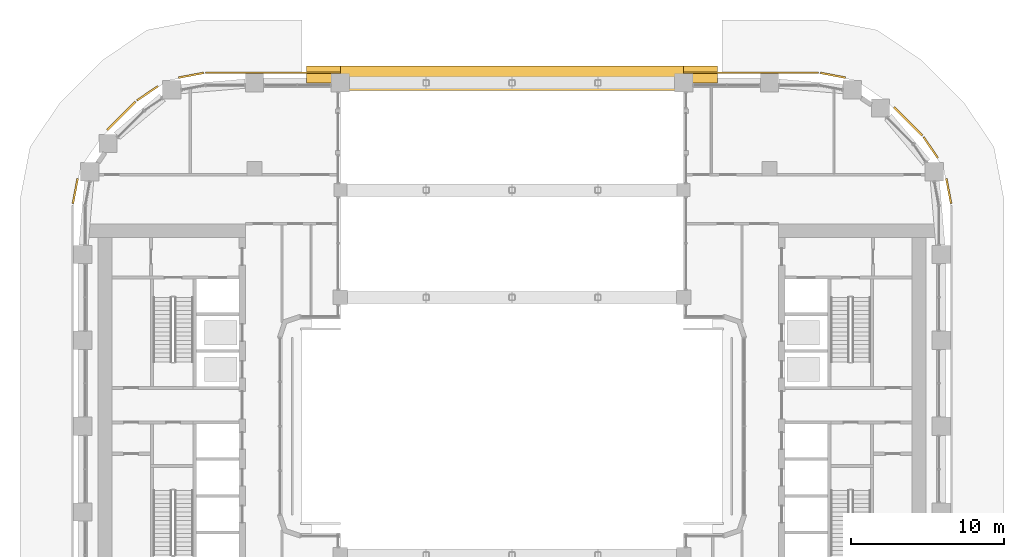
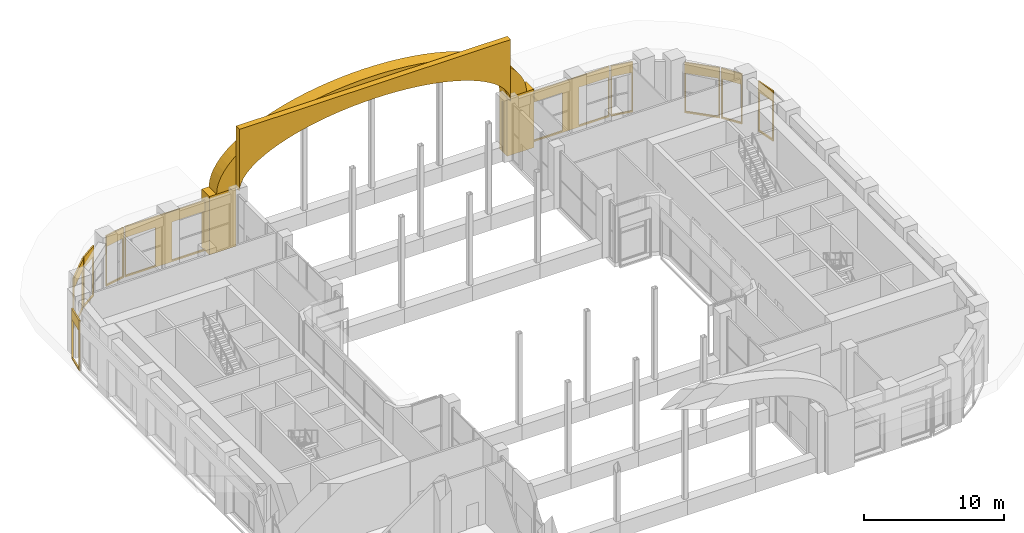
# One storey, part 27 of 28: 14 coverings.
"""IFC4 building model written with IfcOpenShell, lengths in metres."""

from ifc_helpers import new_model, si_unit, direction, frame, origin, origin_2d, place, context, subcontext, project, spatial, polyline, rectangle, outline, extrude, material, layer, layer_set, type_object, element, save


model = new_model("IFC4")

# Units and contexts
model_context = context("Model", 3, precision=1e-05, world=origin(), true_north=direction((0.0, 1.0)))
body_context = subcontext(model_context, "Body", "Model", "MODEL_VIEW")
ifc_project = project(units=[si_unit("LENGTHUNIT", "METRE"), si_unit("AREAUNIT", "SQUARE_METRE"), si_unit("VOLUMEUNIT", "CUBIC_METRE"), si_unit("PLANEANGLEUNIT", "RADIAN"), si_unit("MASSUNIT", "GRAM", prefix="KILO")], contexts=[model_context])

# Site, building, storey
site_placement = place(None, origin())
site = spatial("IfcSite", under=ifc_project, at=site_placement, CompositionType="ELEMENT")
building_placement = place(site_placement, origin())
building = spatial("IfcBuilding", under=site, at=building_placement, Name="Kiln Ring Residences", CompositionType="ELEMENT")
storey_placement = place(building_placement, frame((0.0, 0.0, 125.300048828125)))
storey = spatial("IfcBuildingStorey", under=building, at=storey_placement, Name="L32", CompositionType="ELEMENT", Elevation=125.300048828125)

# Coverings
ifc_material_1 = material(Name="Concrete C35/45, exposed aggregate finish", Category="concrete")
covering_type_1 = type_object("IfcCoveringType", Name="PORTAL ARCHIVOLT 700", PredefinedType="CLADDING", material=ifc_material_1)
covering_1_placement = place(storey_placement, frame((-12.800048828125, 22.949951171875, 5.099853515625), z_axis=(0.0, 0.0, 1.0), x_axis=(1.0, 0.0, 0.0)))
element("IfcCovering", 1, at=covering_1_placement, inside=storey, type_object=covering_type_1, Name="PORTAL ARCHIVOLT L32", PredefinedType="CLADDING", context=body_context, shape_type="SweptSolid", body=[
    extrude(outline(polyline([(25.60009765625, 0.0), (25.560546875, 0.455078125), (25.4423828125, 0.907470703125), (25.246337890625, 1.35400390625), (24.973388671875, 1.79248046875), (24.625732421875, 2.2197265625), (24.204833984375, 2.63330078125), (23.7138671875, 3.030517578125), (23.155517578125, 3.4091796875), (22.533203125, 3.766845703125), (21.85107421875, 4.101318359375), (21.11279296875, 4.410400390625), (20.32373046875, 4.6923828125), (19.488037109375, 4.9453125), (18.611083984375, 5.16796875), (17.6982421875, 5.358642578125), (16.75537109375, 5.51611328125), (15.7880859375, 5.639892578125), (14.802490234375, 5.728759765625), (13.80419921875, 5.7822265625), (12.800048828125, 5.800048828125), (11.795654296875, 5.7822265625), (10.797607421875, 5.728759765625), (9.81201171875, 5.639892578125), (8.844482421875, 5.51611328125), (7.901611328125, 5.358642578125), (6.989013671875, 5.16796875), (6.112060546875, 4.9453125), (5.2763671875, 4.6923828125), (4.487060546875, 4.410400390625), (3.7490234375, 4.101318359375), (3.06689453125, 3.766845703125), (2.444580078125, 3.4091796875), (1.88623046875, 3.030517578125), (1.39501953125, 2.63330078125), (0.974365234375, 2.2197265625), (0.62646484375, 1.79248046875), (0.353759765625, 1.35400390625), (0.15771484375, 0.907470703125), (0.03955078125, 0.455078125), (0.0, 0.0), (1.60009765625, 0.0), (1.634521484375, 0.32958984375), (1.73779296875, 0.656982421875), (1.909423828125, 0.980712890625), (2.148193359375, 1.298095703125), (2.452392578125, 1.607421875), (2.82080078125, 1.906982421875), (3.25048828125, 2.194580078125), (3.739013671875, 2.46875), (4.283447265625, 2.727783203125), (4.88037109375, 2.969970703125), (5.526123046875, 3.19384765625), (6.216796875, 3.39794921875), (6.947998046875, 3.581298828125), (7.71533203125, 3.7421875), (8.513916015625, 3.88037109375), (9.339111328125, 3.994384765625), (10.185302734375, 4.083984375), (11.0478515625, 4.1484375), (11.92138671875, 4.187255859375), (12.800048828125, 4.2001953125), (13.6787109375, 4.187255859375), (14.552001953125, 4.1484375), (15.41455078125, 4.083984375), (16.260986328125, 3.994384765625), (17.086181640625, 3.88037109375), (17.884765625, 3.7421875), (18.652099609375, 3.581298828125), (19.38330078125, 3.39794921875), (20.07373046875, 3.19384765625), (20.719482421875, 2.969970703125), (21.31640625, 2.727783203125), (21.861083984375, 2.46875), (22.349609375, 2.194580078125), (22.779296875, 1.906982421875), (23.1474609375, 1.607421875), (23.451904296875, 1.298095703125), (23.6904296875, 0.980712890625), (23.862060546875, 0.656982421875), (23.965576171875, 0.32958984375), (24.0, 0.0), (25.60009765625, 0.0)])), frame((0.0, 0.550048828125, 0.0), z_axis=(0.0, -1.0, 0.0), x_axis=(1.0, 0.0, 0.0)), (0.0, 0.0, 1.0), 1.10009765625),
])
ifc_material_2 = material(Name="Concrete C35/45, exposed aggregate finish", Category="concrete")
covering_type_2 = type_object("IfcCoveringType", Name="PORTAL JAMB 1400 x 700", PredefinedType="CLADDING", material=ifc_material_2)
for number, where, z_axis, x_axis, name in (
    (2, (-12.300048828125, 22.949951171875, 0.0), (0.0, 0.0, 1.0), (1.0, 0.0, 0.0), "PORTAL JAMB L32"),
    (3, (12.300048828125, 22.949951171875, 0.0), (0.0, 0.0, 1.0), (1.0, 0.0, 0.0), "PORTAL JAMB L32"),
):
    element("IfcCovering", number, at=place(storey_placement, frame(where, z_axis=z_axis, x_axis=x_axis)), inside=storey, type_object=covering_type_2, Name=name, PredefinedType="CLADDING", context=body_context, shape_type="SweptSolid", body=[
        extrude(rectangle(XDim=2.199951171875, YDim=1.10009765625, at=origin_2d()), origin(), (0.0, 0.0, 1.0), 5.10009765625),
    ])
ifc_material_3 = material(Name="Concrete C35/45, exposed aggregate finish", Category="concrete")
ifc_layer_1 = layer(ifc_material_3, 0.5)
ifc_layer_set_1 = layer_set([ifc_layer_1], Name="PORTAL TYMPANUM 500")
covering_type_3 = type_object("IfcCoveringType", Name="PORTAL TYMPANUM 500", PredefinedType="CLADDING", material=ifc_layer_set_1)
covering_2_placement = place(storey_placement, frame((-11.199951171875, 22.14990234375, 5.099853515625), z_axis=(0.0, 0.0, 1.0), x_axis=(1.0, 0.0, 0.0)))
element("IfcCovering", 4, at=covering_2_placement, inside=storey, type_object=covering_type_3, Name="PORTAL TYMPANUM L32", PredefinedType="CLADDING", context=body_context, shape_type="SweptSolid", body=[
    extrude(outline(polyline([(0.0, 0.0), (0.0, 5.400146484375), (22.39990234375, 5.400146484375), (22.39990234375, 0.0), (22.365478515625, 0.32958984375), (22.26220703125, 0.656982421875), (22.090576171875, 0.980712890625), (21.851806640625, 1.298095703125), (21.547607421875, 1.607421875), (21.17919921875, 1.906982421875), (20.74951171875, 2.194580078125), (20.260986328125, 2.46875), (19.716552734375, 2.727783203125), (19.11962890625, 2.969970703125), (18.473876953125, 3.19384765625), (17.783203125, 3.39794921875), (17.052001953125, 3.581298828125), (16.28466796875, 3.7421875), (15.486083984375, 3.88037109375), (14.660888671875, 3.994384765625), (13.814697265625, 4.083984375), (12.9521484375, 4.1484375), (12.07861328125, 4.187255859375), (11.199951171875, 4.2001953125), (10.3212890625, 4.187255859375), (9.447998046875, 4.1484375), (8.58544921875, 4.083984375), (7.739013671875, 3.994384765625), (6.913818359375, 3.88037109375), (6.115234375, 3.7421875), (5.347900390625, 3.581298828125), (4.61669921875, 3.39794921875), (3.92626953125, 3.19384765625), (3.280517578125, 2.969970703125), (2.68359375, 2.727783203125), (2.138916015625, 2.46875), (1.650390625, 2.194580078125), (1.220703125, 1.906982421875), (0.8525390625, 1.607421875), (0.548095703125, 1.298095703125), (0.3095703125, 0.980712890625), (0.137939453125, 0.656982421875), (0.034423828125, 0.32958984375), (0.0, 0.0)])), frame((0.0, 0.25, 0.0), z_axis=(0.0, -1.0, 0.0), x_axis=(1.0, 0.0, 0.0)), (0.0, 0.0, 1.0), 0.5),
])
ifc_material_4 = material(Name="Brick masonry, dark clay brick", Category="masonry")
ifc_layer_2 = layer(ifc_material_4, 0.1201171875)
ifc_layer_set_2 = layer_set([ifc_layer_2], Name="RAINSCREEN PANEL 120")
covering_type_4 = type_object("IfcCoveringType", Name="RAINSCREEN PANEL 120", PredefinedType="CLADDING", material=ifc_layer_set_2)
covering_3_placement = place(storey_placement, frame((-11.199951171875, 23.06005859375, 0.0), z_axis=(0.0, 0.0, 1.0), x_axis=(-1.0, 0.0, 0.0)))
element("IfcCovering", 5, at=covering_3_placement, inside=storey, type_object=covering_type_4, Name="RAINSCREEN L32", PredefinedType="CLADDING", context=body_context, shape_type="SweptSolid", body=[
    extrude(outline(polyline([(0.0, 0.0), (8.800048828125, 0.0), (8.800048828125, 4.39990234375), (0.0, 4.39990234375), (0.0, 0.0)]), holes=[polyline([(4.919921875, 3.469970703125), (0.679931640625, 3.469970703125), (0.679931640625, 0.1298828125), (4.919921875, 0.1298828125), (4.919921875, 3.469970703125)]), polyline([(8.719970703125, 3.469970703125), (6.280029296875, 3.469970703125), (6.280029296875, 0.1298828125), (8.719970703125, 0.1298828125), (8.719970703125, 3.469970703125)])]), frame((0.0, 0.06005859375, 0.0), z_axis=(0.0, -1.0, 0.0), x_axis=(1.0, 0.0, 0.0)), (0.0, 0.0, 1.0), 0.1201171875),
])
covering_4_placement = place(storey_placement, frame((-20.123779296875, 23.04833984375, 0.0), z_axis=(0.0, 0.0, 1.0), x_axis=(-0.98228820662, -0.187376303559, 0.0)))
element("IfcCovering", 6, at=covering_4_placement, inside=storey, type_object=covering_type_4, Name="RAINSCREEN L32", PredefinedType="CLADDING", context=body_context, shape_type="SweptSolid", body=[
    extrude(outline(polyline([(0.0, 0.0), (1.65625, 0.0), (1.65625, 4.39990234375), (0.0, 4.39990234375), (0.0, 0.0)]), holes=[polyline([(0.080078125, 3.469970703125), (0.080078125, 0.1298828125), (1.576171875, 0.1298828125), (1.576171875, 3.469970703125), (0.080078125, 3.469970703125)])]), frame((0.0, 0.06005859375, 0.0), z_axis=(0.0, -1.0, 0.0), x_axis=(1.0, 0.0, 0.0)), (0.0, 0.0, 1.0), 0.1201171875),
])
covering_5_placement = place(storey_placement, frame((-23.098388671875, 22.1796875, 0.0), z_axis=(0.0, 0.0, 1.0), x_axis=(-0.827049873329, -0.562128550268, 0.0)))
element("IfcCovering", 7, at=covering_5_placement, inside=storey, type_object=covering_type_4, Name="RAINSCREEN L32", PredefinedType="CLADDING", context=body_context, shape_type="SweptSolid", body=[
    extrude(outline(polyline([(0.0, 0.0), (1.656005859375, 0.0), (1.656005859375, 4.39990234375), (0.0, 4.39990234375), (0.0, 0.0)]), holes=[polyline([(0.080078125, 3.469970703125), (0.080078125, 0.1298828125), (1.576171875, 0.1298828125), (1.576171875, 3.469970703125), (0.080078125, 3.469970703125)])]), frame((0.0, 0.06005859375, 0.0), z_axis=(0.0, -1.0, 0.0), x_axis=(1.0, 0.0, 0.0)), (0.0, 0.0, 1.0), 0.1201171875),
])
covering_6_placement = place(storey_placement, frame((-24.563720703125, 21.169677734375, 0.0), z_axis=(0.0, 0.0, 1.0), x_axis=(-0.707106781187, -0.707106781187, 0.0)))
element("IfcCovering", 8, at=covering_6_placement, inside=storey, type_object=covering_type_4, Name="RAINSCREEN L32", PredefinedType="CLADDING", context=body_context, shape_type="SweptSolid", body=[
    extrude(outline(polyline([(0.0, 0.0), (2.60009765625, 0.0), (2.60009765625, 4.39990234375), (0.0, 4.39990234375), (0.0, 0.0)]), holes=[polyline([(0.080078125, 3.469970703125), (0.080078125, 0.1298828125), (2.52001953125, 0.1298828125), (2.52001953125, 3.469970703125), (0.080078125, 3.469970703125)])]), frame((0.0, 0.06005859375, 0.0), z_axis=(0.0, -1.0, 0.0), x_axis=(1.0, 0.0, 0.0)), (0.0, 0.0, 1.0), 0.1201171875),
])
for number, where, z_axis, x_axis, name in (
    (9, (-28.337890625, 16.150390625, 0.0), (0.0, 0.0, 1.0), (-0.187376303559, -0.98228820662, 0.0), "RAINSCREEN L32"),
    (10, (28.648193359375, 14.523681640625, 0.0), (0.0, 0.0, 1.0), (-0.187376303559, 0.98228820662, 0.0), "RAINSCREEN L32"),
):
    element("IfcCovering", number, at=place(storey_placement, frame(where, z_axis=z_axis, x_axis=x_axis)), inside=storey, type_object=covering_type_4, Name=name, PredefinedType="CLADDING", context=body_context, shape_type="SweptSolid", body=[
        extrude(outline(polyline([(0.0, 0.0), (1.65625, 0.0), (1.65625, 4.39990234375), (0.0, 4.39990234375), (0.0, 0.0)]), holes=[polyline([(0.080078125, 3.469970703125), (0.080078125, 0.1298828125), (1.576171875, 0.1298828125), (1.576171875, 3.469970703125), (0.080078125, 3.469970703125)])]), frame((0.0, 0.06005859375, 0.0), z_axis=(0.0, -1.0, 0.0), x_axis=(1.0, 0.0, 0.0)), (0.0, 0.0, 1.0), 0.1201171875),
    ])
covering_7_placement = place(storey_placement, frame((27.77978515625, 17.498291015625, 0.0), z_axis=(0.0, 0.0, 1.0), x_axis=(-0.562128550268, 0.827049873329, 0.0)))
element("IfcCovering", 11, at=covering_7_placement, inside=storey, type_object=covering_type_4, Name="RAINSCREEN L32", PredefinedType="CLADDING", context=body_context, shape_type="SweptSolid", body=[
    extrude(outline(polyline([(0.0, 0.0), (1.656005859375, 0.0), (1.656005859375, 4.39990234375), (0.0, 4.39990234375), (0.0, 0.0)]), holes=[polyline([(0.080078125, 3.469970703125), (0.080078125, 0.1298828125), (1.576171875, 0.1298828125), (1.576171875, 3.469970703125), (0.080078125, 3.469970703125)])]), frame((0.0, 0.06005859375, 0.0), z_axis=(0.0, -1.0, 0.0), x_axis=(1.0, 0.0, 0.0)), (0.0, 0.0, 1.0), 0.1201171875),
])
covering_8_placement = place(storey_placement, frame((26.76953125, 18.9638671875, 0.0), z_axis=(0.0, 0.0, 1.0), x_axis=(-0.707106781187, 0.707106781187, 0.0)))
element("IfcCovering", 12, at=covering_8_placement, inside=storey, type_object=covering_type_4, Name="RAINSCREEN L32", PredefinedType="CLADDING", context=body_context, shape_type="SweptSolid", body=[
    extrude(outline(polyline([(0.0, 0.0), (2.60009765625, 0.0), (2.60009765625, 4.39990234375), (0.0, 4.39990234375), (0.0, 0.0)]), holes=[polyline([(0.080078125, 3.469970703125), (0.080078125, 0.1298828125), (2.52001953125, 0.1298828125), (2.52001953125, 3.469970703125), (0.080078125, 3.469970703125)])]), frame((0.0, 0.06005859375, 0.0), z_axis=(0.0, -1.0, 0.0), x_axis=(1.0, 0.0, 0.0)), (0.0, 0.0, 1.0), 0.1201171875),
])
covering_9_placement = place(storey_placement, frame((21.75048828125, 22.738037109375, 0.0), z_axis=(0.0, 0.0, 1.0), x_axis=(-0.98228820662, 0.187376303559, 0.0)))
element("IfcCovering", 13, at=covering_9_placement, inside=storey, type_object=covering_type_4, Name="RAINSCREEN L32", PredefinedType="CLADDING", context=body_context, shape_type="SweptSolid", body=[
    extrude(outline(polyline([(0.0, 0.0), (1.65625, 0.0), (1.65625, 4.39990234375), (0.0, 4.39990234375), (0.0, 0.0)]), holes=[polyline([(0.080078125, 3.469970703125), (0.080078125, 0.1298828125), (1.576171875, 0.1298828125), (1.576171875, 3.469970703125), (0.080078125, 3.469970703125)])]), frame((0.0, 0.06005859375, 0.0), z_axis=(0.0, -1.0, 0.0), x_axis=(1.0, 0.0, 0.0)), (0.0, 0.0, 1.0), 0.1201171875),
])
covering_10_placement = place(storey_placement, frame((20.0, 23.06005859375, 0.0), z_axis=(0.0, 0.0, 1.0), x_axis=(-1.0, 0.0, 0.0)))
element("IfcCovering", 14, at=covering_10_placement, inside=storey, type_object=covering_type_4, Name="RAINSCREEN L32", PredefinedType="CLADDING", context=body_context, shape_type="SweptSolid", body=[
    extrude(outline(polyline([(0.0, 0.0), (8.800048828125, 0.0), (8.800048828125, 4.39990234375), (0.0, 4.39990234375), (0.0, 0.0)]), holes=[polyline([(2.52001953125, 3.469970703125), (0.080078125, 3.469970703125), (0.080078125, 0.1298828125), (2.52001953125, 0.1298828125), (2.52001953125, 3.469970703125)]), polyline([(8.1201171875, 3.469970703125), (3.8798828125, 3.469970703125), (3.8798828125, 0.1298828125), (8.1201171875, 0.1298828125), (8.1201171875, 3.469970703125)])]), frame((0.0, 0.06005859375, 0.0), z_axis=(0.0, -1.0, 0.0), x_axis=(1.0, 0.0, 0.0)), (0.0, 0.0, 1.0), 0.1201171875),
])

save(model, "model.ifc")
